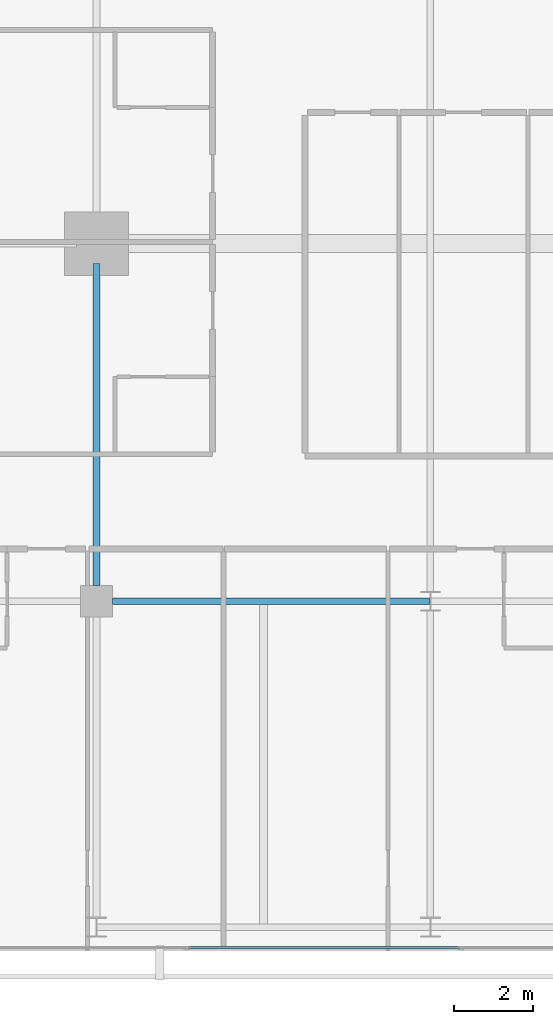
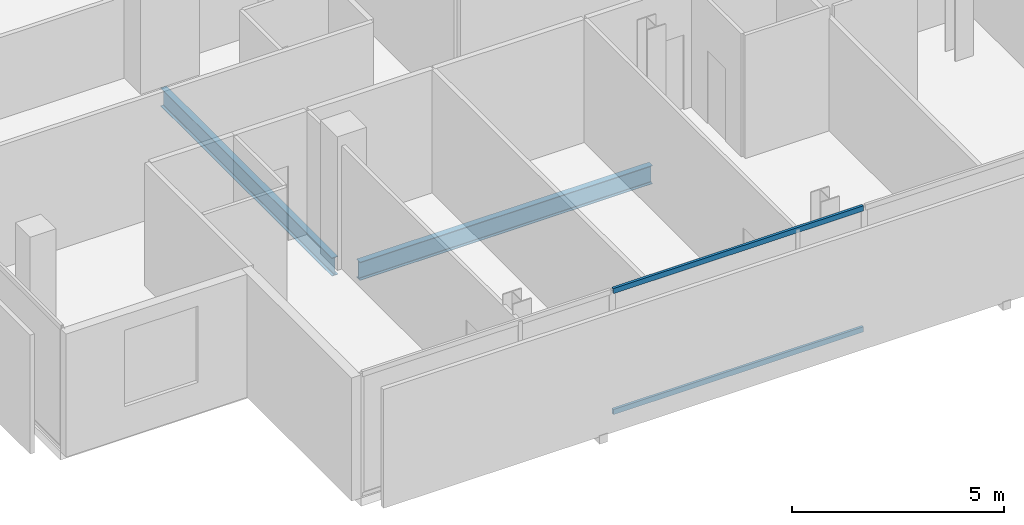
# One storey, part 5 of 26: 2 beams, 2 members, 1 element without a shape of its own.
"""IFC4 building model written with IfcOpenShell, lengths in metres."""

from ifc_helpers import new_model, si_unit, direction, frame, origin, origin_2d, place, context, subcontext, project, spatial, hollow_rectangle, i_section, extrude, material, layer, layer_set, material_profile, profile_set, type_object, element, aggregate, save


model = new_model("IFC4")

# Units and contexts
model_context = context("Model", 3, precision=1e-05, world=origin(), true_north=direction((0.0, 1.0)))
body_context = subcontext(model_context, "Body", "Model", "MODEL_VIEW")
ifc_project = project(units=[si_unit("LENGTHUNIT", "METRE"), si_unit("AREAUNIT", "SQUARE_METRE"), si_unit("VOLUMEUNIT", "CUBIC_METRE"), si_unit("PLANEANGLEUNIT", "RADIAN"), si_unit("MASSUNIT", "GRAM", prefix="KILO")], contexts=[model_context])

# Site, building, storey
site_placement = place(None, origin())
site = spatial("IfcSite", under=ifc_project, at=site_placement, CompositionType="ELEMENT")
building_placement = place(site_placement, origin())
building = spatial("IfcBuilding", under=site, at=building_placement, Name="Maruvema Waterfront Hotel and Observation Tower", CompositionType="ELEMENT")
storey_placement = place(building_placement, frame((0.0, 0.0, 312.550048828125)))
storey = spatial("IfcBuildingStorey", under=building, at=storey_placement, Name="L77", CompositionType="ELEMENT", Elevation=312.550048828125)

# Curtain wall, members
ifc_material_1 = material(Name="Anodised bronze aluminium and solar-control low-E IGU", Category="aluminium")
ifc_layer = layer(ifc_material_1, 0.159912109375, Name="Zone 3 Champagne Inner Thermal Curtain Wall System CW-04")
ifc_layer_set = layer_set([ifc_layer], Name="Anodised bronze aluminium and solar-control low-E IGU")
curtain_wall_type = type_object("IfcCurtainWallType", Name="Zone 3 Champagne Inner Thermal Curtain Wall System CW-04", PredefinedType="USERDEFINED", material=ifc_layer_set)
curtain_wall_placement = place(storey_placement, origin())
curtain_wall = element("IfcCurtainWall", 1, at=curtain_wall_placement, inside=storey, type_object=curtain_wall_type, Name="L77 Curtain Wall CW-L77-S", ObjectType="UNITISED CURTAIN WALL", PredefinedType="USERDEFINED")
ifc_material_2 = material(Name="Anodised architectural bronze aluminium", Category="aluminium")
ifc_material_profile_1 = material_profile(ifc_material_2, hollow_rectangle(XDim=0.070068359375, YDim=0.14990234375, WallThickness=0.00390625, at=origin_2d()), Name="ALU-T70x150")
ifc_profile_set_1 = profile_set([ifc_material_profile_1], Name="Anodised architectural bronze aluminium")
member_type = type_object("IfcMemberType", Name="Curtain Wall Horizontal Transom ALU-T70x150", PredefinedType="USERDEFINED", material=ifc_profile_set_1)
member_1_placement = place(storey_placement, frame((27.510009765625, 9.280029296875, 0.030029296875), z_axis=(1.0, 0.0, 0.0), x_axis=(0.0, 1.0, 0.0)))
member_1 = element("IfcMember", 2, at=member_1_placement, type_object=member_type, Name="CW-04 transom 2.1", ObjectType="TRANSOM", PredefinedType="USERDEFINED", context=body_context, shape_type="SweptSolid", body=[
    extrude(hollow_rectangle(XDim=0.070068359375, YDim=0.14990234375, WallThickness=0.00390625, at=origin_2d()), origin(), (0.0, 0.0, 1.0), 6.820068359375),
])
member_2_placement = place(storey_placement, frame((27.510009765625, 9.280029296875, 3.52001953125), z_axis=(1.0, 0.0, 0.0), x_axis=(0.0, 1.0, 0.0)))
member_2 = element("IfcMember", 3, at=member_2_placement, type_object=member_type, Name="CW-04 transom 2.2", ObjectType="TRANSOM", PredefinedType="USERDEFINED", context=body_context, shape_type="SweptSolid", body=[
    extrude(hollow_rectangle(XDim=0.070068359375, YDim=0.14990234375, WallThickness=0.00390625, at=origin_2d()), origin(), (0.0, 0.0, 1.0), 6.820068359375),
])
aggregate(curtain_wall, [member_1, member_2])

# Beams
ifc_material_3 = material(Name="Steel ASTM A572 Grade 50", Category="steel")
ifc_material_profile_2 = material_profile(ifc_material_3, i_section(OverallWidth=0.166015625, OverallDepth=0.529052734375, WebThickness=0.009765625, FlangeThickness=0.013671875, FilletRadius=0.014892578125, at=origin_2d()), Name="W530x74.0")
ifc_profile_set_2 = profile_set([ifc_material_profile_2], Name="Steel ASTM A572 Grade 50")
beam_type = type_object("IfcBeamType", Name="Primary Floor Girder W530x74.0", PredefinedType="BEAM", material=ifc_profile_set_2)
beam_1_placement = place(storey_placement, frame((25.60009765625, 18.0, -0.504638671875), z_axis=(1.0, 0.0, 0.0), x_axis=(0.0, 1.0, 0.0)))
element("IfcBeam", 4, at=beam_1_placement, inside=storey, type_object=beam_type, Name="L77 Floor Girder EW-05", PredefinedType="BEAM", context=body_context, shape_type="SweptSolid", body=[
    extrude(i_section(OverallWidth=0.166015625, OverallDepth=0.529052734375, WebThickness=0.009765625, FlangeThickness=0.013671875, FilletRadius=0.014892578125, at=origin_2d()), origin(), (0.0, 0.0, 1.0), 7.989013671875),
])
beam_2_placement = place(storey_placement, frame((25.199951171875, 18.39990234375, -0.504638671875), z_axis=(0.0, 1.0, 0.0), x_axis=(-1.0, 0.0, 0.0)))
element("IfcBeam", 5, at=beam_2_placement, inside=storey, type_object=beam_type, Name="L77 Floor Girder NS-05", PredefinedType="BEAM", context=body_context, shape_type="SweptSolid", body=[
    extrude(i_section(OverallWidth=0.166015625, OverallDepth=0.529052734375, WebThickness=0.009765625, FlangeThickness=0.013671875, FilletRadius=0.014892578125, at=origin_2d()), origin(), (0.0, 0.0, 1.0), 8.10009765625),
])

save(model, "model.ifc")
